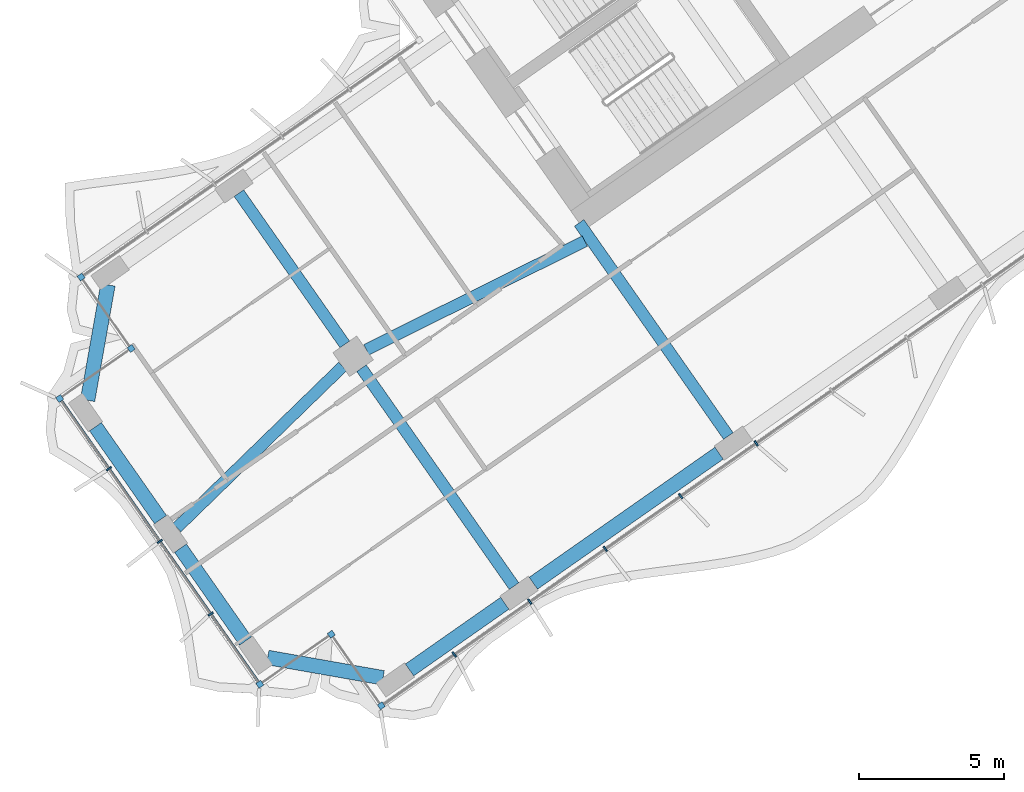
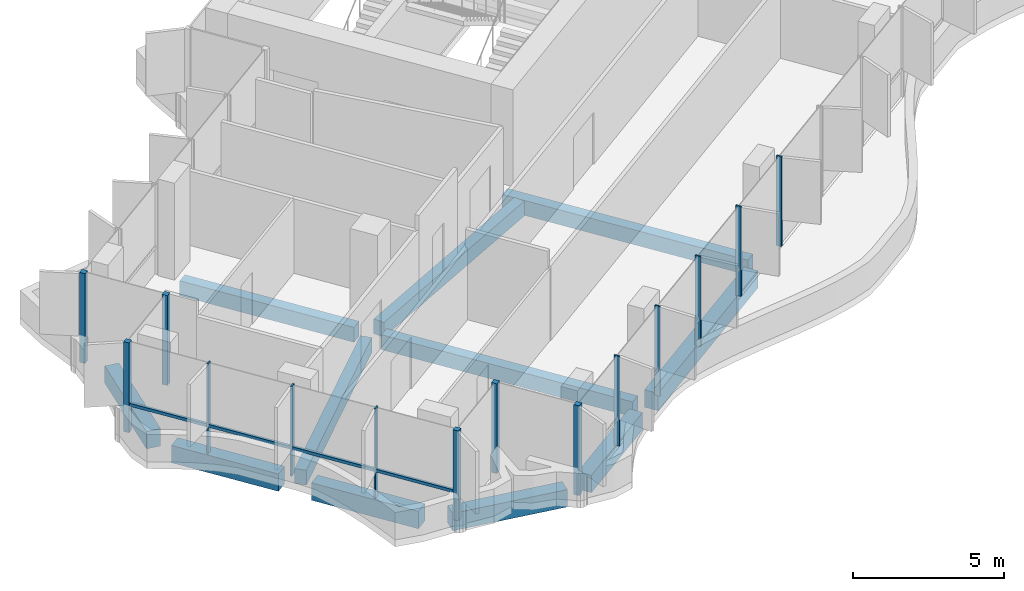
# One storey, part 2 of 21: 15 members, 11 beams, 1 element without a shape of its own.
"""IFC4 building model written with IfcOpenShell, lengths in metres."""

from ifc_helpers import new_model, si_unit, direction, frame, origin, origin_2d, place, context, subcontext, project, spatial, rectangle, extrude, material, material_profile, profile_set, type_object, element, aggregate, save


model = new_model("IFC4")

# Units and contexts
model_context = context("Model", 3, precision=1e-05, world=origin(), true_north=direction((0.0, 1.0)))
body_context = subcontext(model_context, "Body", "Model", "MODEL_VIEW")
ifc_project = project(units=[si_unit("LENGTHUNIT", "METRE"), si_unit("AREAUNIT", "SQUARE_METRE"), si_unit("VOLUMEUNIT", "CUBIC_METRE"), si_unit("PLANEANGLEUNIT", "RADIAN"), si_unit("MASSUNIT", "GRAM", prefix="KILO")], contexts=[model_context])

# Site, building, storey
site_placement = place(None, origin())
site = spatial("IfcSite", under=ifc_project, at=site_placement, CompositionType="ELEMENT")
building_placement = place(site_placement, origin())
building = spatial("IfcBuilding", under=site, at=building_placement, Name="Tel Ilan Convention Tower", CompositionType="ELEMENT")
storey_placement = place(building_placement, frame((0.0, 0.0, 159.300048828125)))
storey = spatial("IfcBuildingStorey", under=building, at=storey_placement, Name="L36", CompositionType="ELEMENT", Elevation=159.300048828125)

# Beams
ifc_material_1 = material(Name="Concrete C40/50", Category="concrete")
ifc_material_profile_1 = material_profile(ifc_material_1, rectangle(XDim=0.39990234375, YDim=0.60009765625, at=origin_2d()), Name="RC 400x600")
ifc_profile_set_1 = profile_set([ifc_material_profile_1], Name="Concrete C40/50")
beam_type_1 = type_object("IfcBeamType", Name="Beam RC 400x600 Concrete C40/50", PredefinedType="BEAM", material=ifc_profile_set_1)
beam_1_placement = place(storey_placement, frame((-16.58203125, -23.391357421875, -0.580078125), z_axis=(-0.573584999642, 0.819146048141, 0.0), x_axis=(-0.819146048141, -0.573584999642, 0.0)))
element("IfcBeam", 1, at=beam_1_placement, inside=storey, type_object=beam_type_1, Name="L36 beam W-W-F3-core", PredefinedType="BEAM", context=body_context, shape_type="SweptSolid", body=[
    extrude(rectangle(XDim=0.39990234375, YDim=0.60009765625, at=origin_2d()), origin(), (0.0, 0.0, 1.0), 8.949951171875),
])
beam_2_placement = place(storey_placement, frame((-21.52099609375, -16.686279296875, -0.580078125), z_axis=(-0.895402365524, -0.445257907076, 0.0), x_axis=(0.445257907076, -0.895402365524, 0.0)))
element("IfcBeam", 2, at=beam_2_placement, inside=storey, type_object=beam_type_1, Name="L36 beam W-core-W-M4", PredefinedType="BEAM", context=body_context, shape_type="SweptSolid", body=[
    extrude(rectangle(XDim=0.39990234375, YDim=0.60009765625, at=origin_2d()), origin(), (0.0, 0.0, 1.0), 8.3935546875),
])
beam_3_placement = place(storey_placement, frame((-29.8525390625, -21.001708984375, -0.580078125), z_axis=(-0.716983836762, -0.697089791793, 0.0), x_axis=(0.697089791793, -0.716983836762, 0.0)))
element("IfcBeam", 3, at=beam_3_placement, inside=storey, type_object=beam_type_1, Name="L36 beam W-W-M4-end", PredefinedType="BEAM", context=body_context, shape_type="SweptSolid", body=[
    extrude(rectangle(XDim=0.39990234375, YDim=0.60009765625, at=origin_2d()), origin(), (0.0, 0.0, 1.0), 7.952392578125),
])
beam_4_placement = place(storey_placement, frame((-29.20263671875, -21.058349609375, -0.580078125), z_axis=(0.573557249804, -0.819165478519, 0.0), x_axis=(0.819165478519, 0.573557249804, 0.0)))
element("IfcBeam", 4, at=beam_4_placement, inside=storey, type_object=beam_type_1, Name="L36 beam W-W-M4-W-F4", PredefinedType="BEAM", context=body_context, shape_type="SweptSolid", body=[
    extrude(rectangle(XDim=0.39990234375, YDim=0.60009765625, at=origin_2d()), origin(), (0.0, 0.0, 1.0), 9.14990234375),
])
beam_5_placement = place(storey_placement, frame((-29.7763671875, -20.2392578125, -0.580078125), z_axis=(-0.573560394383, 0.819163276762, 0.0), x_axis=(-0.819163276762, -0.573560394383, 0.0)))
element("IfcBeam", 5, at=beam_5_placement, inside=storey, type_object=beam_type_1, Name="L36 beam W-W-M4-W-B4", PredefinedType="BEAM", context=body_context, shape_type="SweptSolid", body=[
    extrude(rectangle(XDim=0.39990234375, YDim=0.60009765625, at=origin_2d()), origin(), (0.0, 0.0, 1.0), 6.349853515625),
])
ifc_material_2 = material(Name="Concrete C40/50", Category="concrete")
ifc_material_profile_2 = material_profile(ifc_material_2, rectangle(XDim=0.5, YDim=0.699951171875, at=origin_2d()), Name="RC 500x700")
ifc_profile_set_2 = profile_set([ifc_material_profile_2], Name="Concrete C40/50")
beam_type_2 = type_object("IfcBeamType", Name="Beam RC 500x700 Concrete C40/50", PredefinedType="BEAM", material=ifc_profile_set_2)
beam_6_placement = place(storey_placement, frame((-16.901611328125, -23.981201171875, -0.630126953125), z_axis=(-0.819153977895, -0.573573674866, 0.0), x_axis=(0.573573674866, -0.819153977895, 0.0)))
element("IfcBeam", 6, at=beam_6_placement, inside=storey, type_object=beam_type_2, Name="L36 beam W-W-F3-W-F4", PredefinedType="BEAM", context=body_context, shape_type="SweptSolid", body=[
    extrude(rectangle(XDim=0.5, YDim=0.699951171875, at=origin_2d()), origin(), (0.0, 0.0, 1.0), 7.800048828125),
])
beam_7_placement = place(storey_placement, frame((-24.27392578125, -29.1435546875, -0.630126953125), z_axis=(-0.819165963305, -0.573556557423, 0.0), x_axis=(0.573556557423, -0.819165963305, 0.0)))
element("IfcBeam", 7, at=beam_7_placement, inside=storey, type_object=beam_type_2, Name="L36 beam W-W-F4-W-FC", PredefinedType="BEAM", context=body_context, shape_type="SweptSolid", body=[
    extrude(rectangle(XDim=0.5, YDim=0.699951171875, at=origin_2d()), origin(), (0.0, 0.0, 1.0), 4.0),
])
beam_8_placement = place(storey_placement, frame((-28.459716796875, -31.708251953125, -0.630126953125), z_axis=(-0.984806721117, 0.173654029734, 0.0), x_axis=(-0.173654029734, -0.984806721117, 0.0)))
element("IfcBeam", 8, at=beam_8_placement, inside=storey, type_object=beam_type_2, Name="L36 beam W-W-FC-W-E1", PredefinedType="BEAM", context=body_context, shape_type="SweptSolid", body=[
    extrude(rectangle(XDim=0.5, YDim=0.699951171875, at=origin_2d()), origin(), (0.0, 0.0, 1.0), 4.03076171875),
])
for number, where, z_axis, x_axis, name in (
    (9, (-33.19091796875, -30.443115234375, -0.630126953125), (-0.573609383536, 0.819128973434, 0.0), (-0.819128973434, -0.573609383536, 0.0), "L36 beam W-W-E1-W-E2"),
    (10, (-36.1162109375, -26.265380859375, -0.630126953125), (-0.573609383536, 0.819128973434, 0.0), (-0.819128973434, -0.573609383536, 0.0), "L36 beam W-W-E2-W-E3"),
):
    element("IfcBeam", number, at=place(storey_placement, frame(where, z_axis=z_axis, x_axis=x_axis)), inside=storey, type_object=beam_type_2, Name=name, PredefinedType="BEAM", context=body_context, shape_type="SweptSolid", body=[
        extrude(rectangle(XDim=0.5, YDim=0.699951171875, at=origin_2d()), origin(), (0.0, 0.0, 1.0), 3.89990234375),
    ])
beam_9_placement = place(storey_placement, frame((-38.623779296875, -22.16162109375, -0.630126953125), z_axis=(0.173654029734, 0.984806721117, 0.0), x_axis=(-0.984806721117, 0.173654029734, 0.0)))
element("IfcBeam", 11, at=beam_9_placement, inside=storey, type_object=beam_type_2, Name="L36 beam W-W-E3-W-BC", PredefinedType="BEAM", context=body_context, shape_type="SweptSolid", body=[
    extrude(rectangle(XDim=0.5, YDim=0.699951171875, at=origin_2d()), origin(), (0.0, 0.0, 1.0), 4.03076171875),
])

# Curtain wall, members
ifc_material_3 = material(Name="Aluminium, bronze anodised", Category="aluminium")
curtain_wall_type = type_object("IfcCurtainWallType", Name="CW4 STICK CURTAIN WALL, OFFICE TINTED GLASS", PredefinedType="NOTDEFINED", material=ifc_material_3)
curtain_wall_placement = place(storey_placement, origin())
curtain_wall = element("IfcCurtainWall", 12, at=curtain_wall_placement, inside=storey, type_object=curtain_wall_type, Name="Curtain wall CW4-28.02", PredefinedType="NOTDEFINED")
ifc_material_4 = material(Name="Aluminium, bronze anodised", Category="aluminium")
ifc_material_profile_3 = material_profile(ifc_material_4, rectangle(XDim=0.199951171875, YDim=0.199951171875, at=origin_2d()), Name="CW CORNER MULLION 200x200")
ifc_profile_set_3 = profile_set([ifc_material_profile_3], Name="Aluminium, bronze anodised")
member_type_1 = type_object("IfcMemberType", Name="CW CORNER MULLION 200x200", PredefinedType="MULLION", material=ifc_profile_set_3)
member_1_placement = place(storey_placement, frame((-38.845458984375, -17.922119140625, 0.0), z_axis=(0.0, 0.0, 1.0), x_axis=(-0.819152044289, -0.573576436351, 0.0)))
member_1 = element("IfcMember", 13, at=member_1_placement, type_object=member_type_1, Name="Corner mullion", PredefinedType="MULLION", context=body_context, shape_type="SweptSolid", body=[
    extrude(rectangle(XDim=0.199951171875, YDim=0.199951171875, at=origin_2d()), origin(), (0.0, 0.0, 1.0), 3.619873046875),
])
member_2_placement = place(storey_placement, frame((-37.124755859375, -20.37939453125, 0.0), z_axis=(0.0, 0.0, 1.0), x_axis=(0.573576436351, -0.819152044289, 0.0)))
member_2 = element("IfcMember", 14, at=member_2_placement, type_object=member_type_1, Name="Corner mullion", PredefinedType="MULLION", context=body_context, shape_type="SweptSolid", body=[
    extrude(rectangle(XDim=0.199951171875, YDim=0.199951171875, at=origin_2d()), origin(), (0.0, 0.0, 1.0), 3.619873046875),
])
member_3_placement = place(storey_placement, frame((-39.582275390625, -22.10009765625, 0.0), z_axis=(0.0, 0.0, 1.0), x_axis=(-0.819152044289, -0.573576436351, 0.0)))
member_3 = element("IfcMember", 15, at=member_3_placement, type_object=member_type_1, Name="Corner mullion", PredefinedType="MULLION", context=body_context, shape_type="SweptSolid", body=[
    extrude(rectangle(XDim=0.199951171875, YDim=0.199951171875, at=origin_2d()), origin(), (0.0, 0.0, 1.0), 3.619873046875),
])
member_4_placement = place(storey_placement, frame((-32.69921875, -31.929931640625, 0.0), z_axis=(0.0, 0.0, 1.0), x_axis=(0.573576436351, -0.819152044289, 0.0)))
member_4 = element("IfcMember", 16, at=member_4_placement, type_object=member_type_1, Name="Corner mullion", PredefinedType="MULLION", context=body_context, shape_type="SweptSolid", body=[
    extrude(rectangle(XDim=0.199951171875, YDim=0.199951171875, at=origin_2d()), origin(), (0.0, 0.0, 1.0), 3.619873046875),
])
member_5_placement = place(storey_placement, frame((-30.241943359375, -30.209228515625, 0.0), z_axis=(0.0, 0.0, 1.0), x_axis=(0.819152044289, 0.573576436351, 0.0)))
member_5 = element("IfcMember", 17, at=member_5_placement, type_object=member_type_1, Name="Corner mullion", PredefinedType="MULLION", context=body_context, shape_type="SweptSolid", body=[
    extrude(rectangle(XDim=0.199951171875, YDim=0.199951171875, at=origin_2d()), origin(), (0.0, 0.0, 1.0), 3.619873046875),
])
member_6_placement = place(storey_placement, frame((-28.52099609375, -32.666748046875, 0.0), z_axis=(0.0, 0.0, 1.0), x_axis=(0.573576436351, -0.819152044289, 0.0)))
member_6 = element("IfcMember", 18, at=member_6_placement, type_object=member_type_1, Name="Corner mullion", PredefinedType="MULLION", context=body_context, shape_type="SweptSolid", body=[
    extrude(rectangle(XDim=0.199951171875, YDim=0.199951171875, at=origin_2d()), origin(), (0.0, 0.0, 1.0), 3.619873046875),
])
ifc_material_5 = material(Name="Aluminium, bronze anodised", Category="aluminium")
ifc_material_profile_4 = material_profile(ifc_material_5, rectangle(XDim=0.06005859375, YDim=0.199951171875, at=origin_2d()), Name="CW MULLION 60x200")
ifc_profile_set_4 = profile_set([ifc_material_profile_4], Name="Aluminium, bronze anodised")
member_type_2 = type_object("IfcMemberType", Name="CW MULLION 60x200", PredefinedType="MULLION", material=ifc_profile_set_4)
member_7_placement = place(storey_placement, frame((-37.89013671875, -24.5166015625, 0.0), z_axis=(0.0, 0.0, 1.0), x_axis=(0.573576436351, -0.819152044289, 0.0)))
member_7 = element("IfcMember", 19, at=member_7_placement, type_object=member_type_2, Name="Mullion", PredefinedType="MULLION", context=body_context, shape_type="SweptSolid", body=[
    extrude(rectangle(XDim=0.06005859375, YDim=0.199951171875, at=origin_2d()), origin(), (0.0, 0.0, 1.0), 3.619873046875),
])
member_8_placement = place(storey_placement, frame((-36.140869140625, -27.01513671875, 0.0), z_axis=(0.0, 0.0, 1.0), x_axis=(0.573576436351, -0.819152044289, 0.0)))
member_8 = element("IfcMember", 20, at=member_8_placement, type_object=member_type_2, Name="Mullion", PredefinedType="MULLION", context=body_context, shape_type="SweptSolid", body=[
    extrude(rectangle(XDim=0.06005859375, YDim=0.199951171875, at=origin_2d()), origin(), (0.0, 0.0, 1.0), 3.619873046875),
])
member_9_placement = place(storey_placement, frame((-34.391357421875, -29.513427734375, 0.0), z_axis=(0.0, 0.0, 1.0), x_axis=(0.573576436351, -0.819152044289, 0.0)))
member_9 = element("IfcMember", 21, at=member_9_placement, type_object=member_type_2, Name="Mullion", PredefinedType="MULLION", context=body_context, shape_type="SweptSolid", body=[
    extrude(rectangle(XDim=0.06005859375, YDim=0.199951171875, at=origin_2d()), origin(), (0.0, 0.0, 1.0), 3.619873046875),
])
member_10_placement = place(storey_placement, frame((-26.008056640625, -30.906982421875, 0.0), z_axis=(0.0, 0.0, 1.0), x_axis=(0.819152044289, 0.573576436351, 0.0)))
member_10 = element("IfcMember", 22, at=member_10_placement, type_object=member_type_2, Name="Mullion", PredefinedType="MULLION", context=body_context, shape_type="SweptSolid", body=[
    extrude(rectangle(XDim=0.06005859375, YDim=0.199951171875, at=origin_2d()), origin(), (0.0, 0.0, 1.0), 3.619873046875),
])
member_11_placement = place(storey_placement, frame((-23.412841796875, -29.08984375, 0.0), z_axis=(0.0, 0.0, 1.0), x_axis=(0.819152044289, 0.573576436351, 0.0)))
member_11 = element("IfcMember", 23, at=member_11_placement, type_object=member_type_2, Name="Mullion", PredefinedType="MULLION", context=body_context, shape_type="SweptSolid", body=[
    extrude(rectangle(XDim=0.06005859375, YDim=0.199951171875, at=origin_2d()), origin(), (0.0, 0.0, 1.0), 3.619873046875),
])
member_12_placement = place(storey_placement, frame((-20.81787109375, -27.27294921875, 0.0), z_axis=(0.0, 0.0, 1.0), x_axis=(0.819152044289, 0.573576436351, 0.0)))
member_12 = element("IfcMember", 24, at=member_12_placement, type_object=member_type_2, Name="Mullion", PredefinedType="MULLION", context=body_context, shape_type="SweptSolid", body=[
    extrude(rectangle(XDim=0.06005859375, YDim=0.199951171875, at=origin_2d()), origin(), (0.0, 0.0, 1.0), 3.619873046875),
])
member_13_placement = place(storey_placement, frame((-18.222900390625, -25.455810546875, 0.0), z_axis=(0.0, 0.0, 1.0), x_axis=(0.819152044289, 0.573576436351, 0.0)))
member_13 = element("IfcMember", 25, at=member_13_placement, type_object=member_type_2, Name="Mullion", PredefinedType="MULLION", context=body_context, shape_type="SweptSolid", body=[
    extrude(rectangle(XDim=0.06005859375, YDim=0.199951171875, at=origin_2d()), origin(), (0.0, 0.0, 1.0), 3.619873046875),
])
member_14_placement = place(storey_placement, frame((-15.627685546875, -23.638671875, 0.0), z_axis=(0.0, 0.0, 1.0), x_axis=(0.819152044289, 0.573576436351, 0.0)))
member_14 = element("IfcMember", 26, at=member_14_placement, type_object=member_type_2, Name="Mullion", PredefinedType="MULLION", context=body_context, shape_type="SweptSolid", body=[
    extrude(rectangle(XDim=0.06005859375, YDim=0.199951171875, at=origin_2d()), origin(), (0.0, 0.0, 1.0), 3.619873046875),
])
ifc_material_6 = material(Name="Aluminium, bronze anodised", Category="aluminium")
ifc_material_profile_5 = material_profile(ifc_material_6, rectangle(XDim=0.10009765625, YDim=0.1201171875, at=origin_2d()), Name="CW TRANSOM 100x120")
ifc_profile_set_5 = profile_set([ifc_material_profile_5], Name="Aluminium, bronze anodised")
member_type_3 = type_object("IfcMemberType", Name="CW TRANSOM 100x120", PredefinedType="USERDEFINED", material=ifc_profile_set_5)
member_15_placement = place(storey_placement, frame((-39.52490234375, -22.18212890625, 1.099853515625), z_axis=(0.573581755582, -0.819148319698, 0.0), x_axis=(0.819148319698, 0.573581755582, 0.0)))
member_15 = element("IfcMember", 27, at=member_15_placement, type_object=member_type_3, Name="Transom", ObjectType="TRANSOM", PredefinedType="USERDEFINED", context=body_context, shape_type="SweptSolid", body=[
    extrude(rectangle(XDim=0.10009765625, YDim=0.1201171875, at=origin_2d()), origin(), (0.0, 0.0, 1.0), 11.800048828125),
])
aggregate(curtain_wall, [member_1, member_2, member_3, member_7, member_8, member_9, member_4, member_15, member_5, member_6, member_10, member_11, member_12, member_13, member_14])

save(model, "model.ifc")
